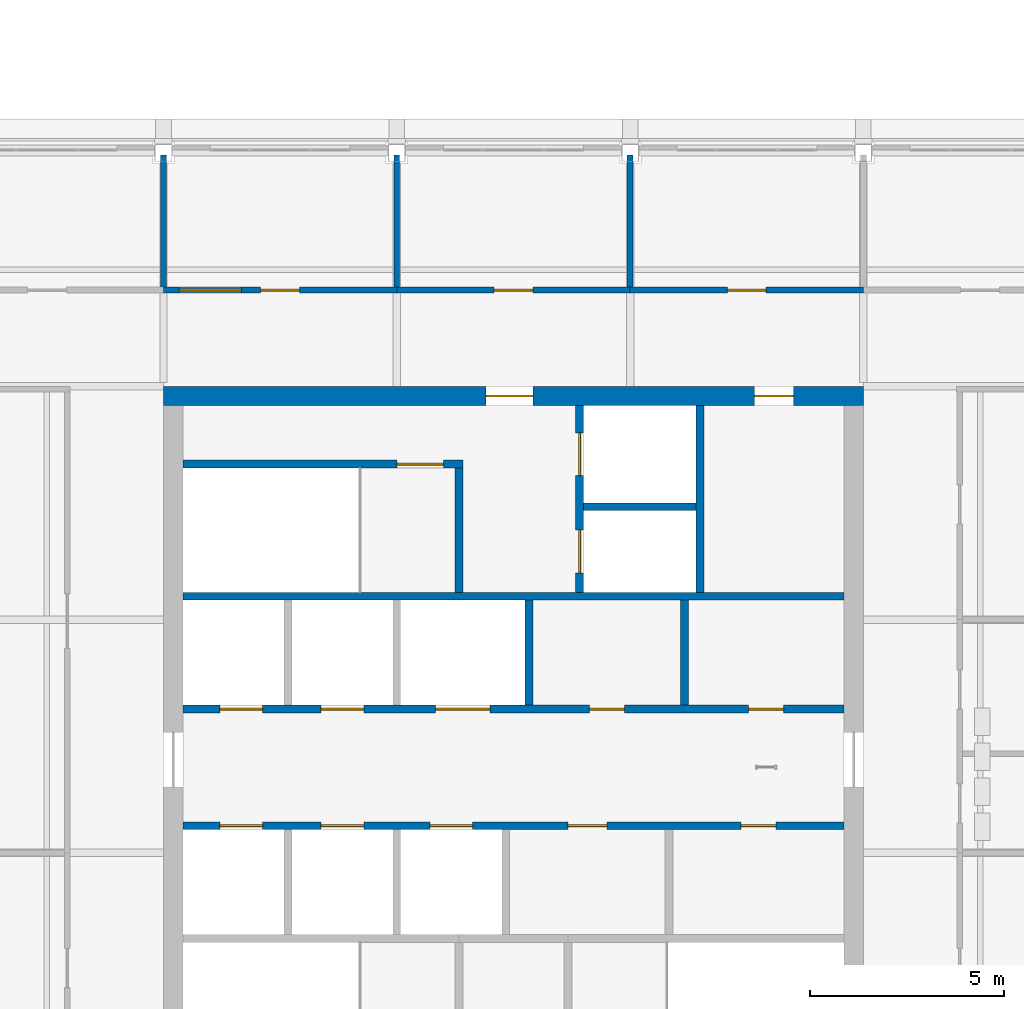
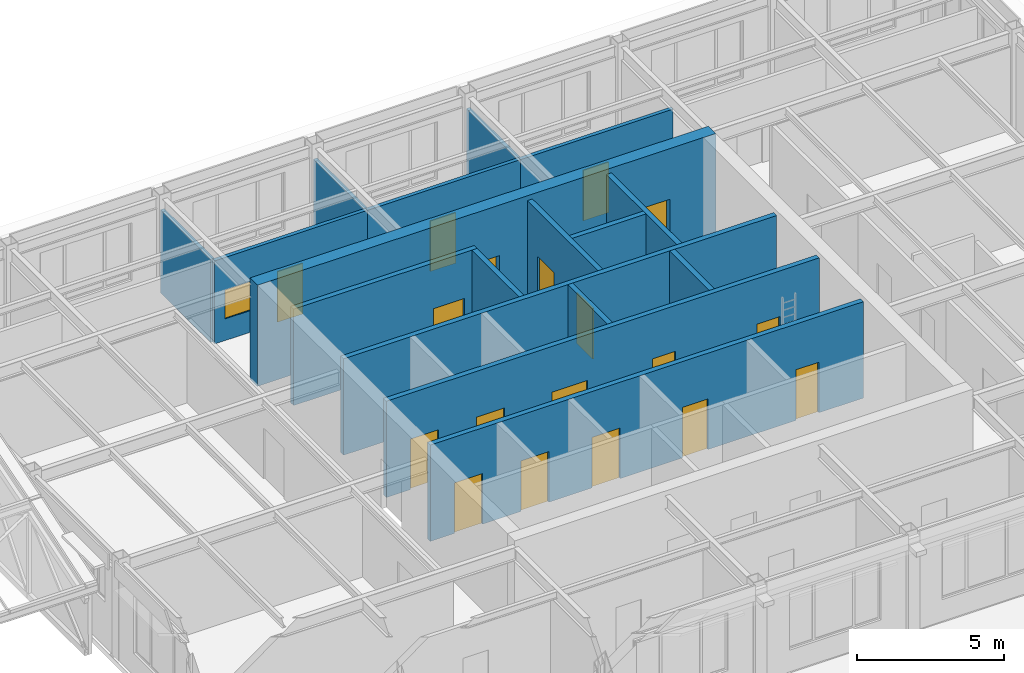
# One storey, part 62 of 82: 18 doors, 17 walls, 1 window, 19 openings.
"""IFC4 building model written with IfcOpenShell, lengths in metres."""

from ifc_helpers import new_model, si_unit, direction, frame, frame_2d, origin, place, context, subcontext, project, spatial, rectangle, extrude, material, layer, layer_set, type_object, element, fill, save


model = new_model("IFC4")

# Units and contexts
model_context = context("Model", 3, precision=1e-05, world=origin(), true_north=direction((0.0, 1.0)))
body_context = subcontext(model_context, "Body", "Model", "MODEL_VIEW")
ifc_project = project(units=[si_unit("LENGTHUNIT", "METRE"), si_unit("AREAUNIT", "SQUARE_METRE"), si_unit("VOLUMEUNIT", "CUBIC_METRE"), si_unit("PLANEANGLEUNIT", "RADIAN"), si_unit("MASSUNIT", "GRAM", prefix="KILO")], contexts=[model_context])

# Site, building, storey
site_placement = place(None, origin())
site = spatial("IfcSite", under=ifc_project, at=site_placement, CompositionType="ELEMENT")
building_placement = place(site_placement, origin())
building = spatial("IfcBuilding", under=site, at=building_placement, Name="Aravalli Gate Trade Fair Centre", CompositionType="ELEMENT")
storey_placement = place(building_placement, frame((0.0, 0.0, 19.199951171875)))
storey = spatial("IfcBuildingStorey", under=building, at=storey_placement, Name="L04", CompositionType="ELEMENT", Elevation=19.199951171875)

# Walls
ifc_material_1 = material(Name="Concrete M30", Category="concrete")
ifc_layer_1 = layer(ifc_material_1, 0.199951171875)
ifc_layer_set_1 = layer_set([ifc_layer_1], Name="Concrete M30")
wall_type_1 = type_object("IfcWallType", Name="Wing core internal wall 200 (EI 120, core wall)", PredefinedType="SOLIDWALL", material=ifc_layer_set_1)
wall_1_placement = place(storey_placement, frame((172.5, 115.60009765625, 0.0), z_axis=(0.0, 0.0, 1.0), x_axis=(1.0, 0.0, 0.0)))
element("IfcWall", 1, at=wall_1_placement, inside=storey, type_object=wall_type_1, Name="Core wall N-REAR L04", PredefinedType="SOLIDWALL", context=body_context, shape_type="SweptSolid", body=[
    extrude(rectangle(XDim=17.0, YDim=0.199951171875, at=frame_2d((8.5, 0.0))), origin(), (0.0, 0.0, 1.0), 4.0),
])
ifc_layer_2 = layer(ifc_material_1, 0.199951171875)
ifc_layer_set_2 = layer_set([ifc_layer_2], Name="Concrete M30")
wall_type_2 = type_object("IfcWallType", Name="Wing core internal wall 200 (EI 120, firefighting shaft)", PredefinedType="SOLIDWALL", material=ifc_layer_set_2)
wall_2_placement = place(storey_placement, frame((179.60009765625, 115.699951171875, 0.0), z_axis=(0.0, 0.0, 1.0), x_axis=(0.0, 1.0, 0.0)))
element("IfcWall", 2, at=wall_2_placement, inside=storey, type_object=wall_type_2, Name="Core wall FF-AB L04", PredefinedType="SOLIDWALL", context=body_context, shape_type="SweptSolid", body=[
    extrude(rectangle(XDim=3.199951171875, YDim=0.199951171875, at=frame_2d((1.60009765625, 0.0))), origin(), (0.0, 0.0, 1.0), 4.0),
])

# Wall, opening, door
wall_3_placement = place(storey_placement, frame((172.5, 119.0, 0.0), z_axis=(0.0, 0.0, 1.0), x_axis=(1.0, 0.0, 0.0)))
wall_3 = element("IfcWall", 3, at=wall_3_placement, inside=storey, type_object=wall_type_2, Name="Core wall FF-N L04", PredefinedType="SOLIDWALL", context=body_context, shape_type="SweptSolid", body=[
    extrude(rectangle(XDim=7.199951171875, YDim=0.199951171875, at=frame_2d((3.60009765625, 0.0))), origin(), (0.0, 0.0, 1.0), 4.0),
])
opening_1_placement = place(wall_3_placement, frame((5.5, 0.0, 0.0)))
opening_1 = element("IfcOpeningElement", 4, at=opening_1_placement, cuts=wall_3, Name="Opening T-L04-131", PredefinedType="OPENING", context=body_context, shape_type="SweptSolid", body=[
    extrude(rectangle(XDim=1.199951171875, YDim=2.10009765625, at=frame_2d((0.60009765625, 1.050048828125))), frame((0.0, 0.10986328125, 0.0), z_axis=(0.0, -1.0, 0.0), x_axis=(1.0, 0.0, 0.0)), (0.0, 0.0, 1.0), 0.219970703125),
])
ifc_material_2 = material(Name="Steel, fire rated", Category="steel")
door_type_1 = type_object("IfcDoorType", Name="Wing fire door FD120 1200 x 2100", OperationType="SINGLE_SWING_LEFT", PredefinedType="DOOR", material=ifc_material_2)
door_1_placement = place(opening_1_placement, frame((1.199951171875, 0.0, 0.0), z_axis=(0.0, 0.0, 1.0), x_axis=(-1.0, 0.0, 0.0)))
door_1 = element("IfcDoor", 5, at=door_1_placement, inside=storey, type_object=door_type_1, Name="Core door T-L04-131", OperationType="SINGLE_SWING_LEFT", OverallHeight=2.10009765625, OverallWidth=1.199951171875, PredefinedType="DOOR", context=body_context, shape_type="SweptSolid", body=[
    extrude(rectangle(XDim=1.199951171875, YDim=2.10009765625, at=frame_2d((0.60009765625, 1.050048828125))), frame((0.0, 0.02490234375, 0.0), z_axis=(0.0, -1.0, 0.0), x_axis=(1.0, 0.0, 0.0)), (0.0, 0.0, 1.0), 0.050048828125),
])
fill(opening_1, door_1)

# Wall, openings, doors
wall_4_placement = place(storey_placement, frame((182.699951171875, 115.699951171875, 0.0), z_axis=(0.0, 0.0, 1.0), x_axis=(0.0, 1.0, 0.0)))
wall_4 = element("IfcWall", 6, at=wall_4_placement, inside=storey, type_object=wall_type_2, Name="Core wall FF-BC L04", PredefinedType="SOLIDWALL", context=body_context, shape_type="SweptSolid", body=[
    extrude(rectangle(XDim=4.800048828125, YDim=0.199951171875, at=frame_2d((2.39990234375, 0.0))), origin(), (0.0, 0.0, 1.0), 4.0),
])
opening_2_placement = place(wall_4_placement, frame((0.5, 0.0, 0.0)))
opening_2 = element("IfcOpeningElement", 7, at=opening_2_placement, cuts=wall_4, Name="Opening T-L04-132", PredefinedType="OPENING", context=body_context, shape_type="SweptSolid", body=[
    extrude(rectangle(XDim=1.10009765625, YDim=2.10009765625, at=frame_2d((0.550048828125, 1.050048828125))), frame((0.0, 0.10986328125, 0.0), z_axis=(0.0, -1.0, 0.0), x_axis=(1.0, 0.0, 0.0)), (0.0, 0.0, 1.0), 0.219970703125),
])
opening_3_placement = place(wall_4_placement, frame((3.0, 0.0, 0.0)))
opening_3 = element("IfcOpeningElement", 8, at=opening_3_placement, cuts=wall_4, Name="Opening T-L04-133", PredefinedType="OPENING", context=body_context, shape_type="SweptSolid", body=[
    extrude(rectangle(XDim=1.10009765625, YDim=2.10009765625, at=frame_2d((0.550048828125, 1.050048828125))), frame((0.0, 0.10986328125, 0.0), z_axis=(0.0, -1.0, 0.0), x_axis=(1.0, 0.0, 0.0)), (0.0, 0.0, 1.0), 0.219970703125),
])
ifc_material_3 = material(Name="Elevator door panels")
door_type_2 = type_object("IfcDoorType", Name="Wing lift landing door 1100 x 2100", OperationType="SLIDING_TO_LEFT", PredefinedType="DOOR", material=ifc_material_3)
door_2_placement = place(opening_2_placement, origin())
door_2 = element("IfcDoor", 9, at=door_2_placement, inside=storey, type_object=door_type_2, Name="Landing door T-L04-132", OperationType="SLIDING_TO_LEFT", OverallHeight=2.10009765625, OverallWidth=1.10009765625, PredefinedType="DOOR", context=body_context, shape_type="SweptSolid", body=[
    extrude(rectangle(XDim=1.10009765625, YDim=2.10009765625, at=frame_2d((0.550048828125, 1.050048828125))), frame((0.0, 0.02490234375, 0.0), z_axis=(0.0, -1.0, 0.0), x_axis=(1.0, 0.0, 0.0)), (0.0, 0.0, 1.0), 0.050048828125),
])
fill(opening_2, door_2)
door_3_placement = place(opening_3_placement, origin())
door_3 = element("IfcDoor", 10, at=door_3_placement, inside=storey, type_object=door_type_2, Name="Landing door T-L04-133", OperationType="SLIDING_TO_LEFT", OverallHeight=2.10009765625, OverallWidth=1.10009765625, PredefinedType="DOOR", context=body_context, shape_type="SweptSolid", body=[
    extrude(rectangle(XDim=1.10009765625, YDim=2.10009765625, at=frame_2d((0.550048828125, 1.050048828125))), frame((0.0, 0.02490234375, 0.0), z_axis=(0.0, -1.0, 0.0), x_axis=(1.0, 0.0, 0.0)), (0.0, 0.0, 1.0), 0.050048828125),
])
fill(opening_3, door_3)

# Walls
wall_5_placement = place(storey_placement, frame((182.800048828125, 117.89990234375, 0.0), z_axis=(0.0, 0.0, 1.0), x_axis=(1.0, 0.0, 0.0)))
element("IfcWall", 11, at=wall_5_placement, inside=storey, type_object=wall_type_2, Name="Core wall FF-MID L04", PredefinedType="SOLIDWALL", context=body_context, shape_type="SweptSolid", body=[
    extrude(rectangle(XDim=2.89990234375, YDim=0.199951171875, at=frame_2d((1.449951171875, 0.0))), origin(), (0.0, 0.0, 1.0), 4.0),
])
wall_6_placement = place(storey_placement, frame((185.800048828125, 115.699951171875, 0.0), z_axis=(0.0, 0.0, 1.0), x_axis=(0.0, 1.0, 0.0)))
element("IfcWall", 12, at=wall_6_placement, inside=storey, type_object=wall_type_2, Name="Core wall FF-CD L04", PredefinedType="SOLIDWALL", context=body_context, shape_type="SweptSolid", body=[
    extrude(rectangle(XDim=4.800048828125, YDim=0.199951171875, at=frame_2d((2.39990234375, 0.0))), origin(), (0.0, 0.0, 1.0), 4.0),
])

# Wall, openings, doors
ifc_layer_3 = layer(ifc_material_1, 0.199951171875)
ifc_layer_set_3 = layer_set([ifc_layer_3], Name="Concrete M30")
wall_type_3 = type_object("IfcWallType", Name="Wing core internal wall 200 (EI 120, lift shaft)", PredefinedType="SOLIDWALL", material=ifc_layer_set_3)
wall_7_placement = place(storey_placement, frame((172.5, 109.699951171875, 0.0), z_axis=(0.0, 0.0, 1.0), x_axis=(1.0, 0.0, 0.0)))
wall_7 = element("IfcWall", 13, at=wall_7_placement, inside=storey, type_object=wall_type_3, Name="Core wall S-FRONT L04", PredefinedType="SOLIDWALL", context=body_context, shape_type="SweptSolid", body=[
    extrude(rectangle(XDim=17.0, YDim=0.199951171875, at=frame_2d((8.5, 0.0))), origin(), (0.0, 0.0, 1.0), 4.0),
])
opening_4_placement = place(wall_7_placement, frame((0.949951171875, 0.0, 0.0)))
opening_4 = element("IfcOpeningElement", 14, at=opening_4_placement, cuts=wall_7, Name="Opening T-L04-111", PredefinedType="OPENING", context=body_context, shape_type="SweptSolid", body=[
    extrude(rectangle(XDim=1.10009765625, YDim=2.10009765625, at=frame_2d((0.550048828125, 1.050048828125))), frame((0.0, 0.10986328125, 0.0), z_axis=(0.0, -1.0, 0.0), x_axis=(1.0, 0.0, 0.0)), (0.0, 0.0, 1.0), 0.219970703125),
])
opening_5_placement = place(wall_7_placement, frame((3.550048828125, 0.0, 0.0)))
opening_5 = element("IfcOpeningElement", 15, at=opening_5_placement, cuts=wall_7, Name="Opening T-L04-112", PredefinedType="OPENING", context=body_context, shape_type="SweptSolid", body=[
    extrude(rectangle(XDim=1.10009765625, YDim=2.10009765625, at=frame_2d((0.550048828125, 1.050048828125))), frame((0.0, 0.10986328125, 0.0), z_axis=(0.0, -1.0, 0.0), x_axis=(1.0, 0.0, 0.0)), (0.0, 0.0, 1.0), 0.219970703125),
])
opening_6_placement = place(wall_7_placement, frame((6.35009765625, 0.0, 0.0)))
opening_6 = element("IfcOpeningElement", 16, at=opening_6_placement, cuts=wall_7, Name="Opening T-L04-113", PredefinedType="OPENING", context=body_context, shape_type="SweptSolid", body=[
    extrude(rectangle(XDim=1.10009765625, YDim=2.10009765625, at=frame_2d((0.550048828125, 1.050048828125))), frame((0.0, 0.10986328125, 0.0), z_axis=(0.0, -1.0, 0.0), x_axis=(1.0, 0.0, 0.0)), (0.0, 0.0, 1.0), 0.219970703125),
])
opening_7_placement = place(wall_7_placement, frame((9.89990234375, 0.0, 0.0)))
opening_7 = element("IfcOpeningElement", 17, at=opening_7_placement, cuts=wall_7, Name="Opening T-L04-114", PredefinedType="OPENING", context=body_context, shape_type="SweptSolid", body=[
    extrude(rectangle(XDim=1.0, YDim=2.10009765625, at=frame_2d((0.5, 1.050048828125))), frame((0.0, 0.10986328125, 0.0), z_axis=(0.0, -1.0, 0.0), x_axis=(1.0, 0.0, 0.0)), (0.0, 0.0, 1.0), 0.219970703125),
])
opening_8_placement = place(wall_7_placement, frame((14.35009765625, 0.0, 0.0)))
opening_8 = element("IfcOpeningElement", 18, at=opening_8_placement, cuts=wall_7, Name="Opening T-L04-115", PredefinedType="OPENING", context=body_context, shape_type="SweptSolid", body=[
    extrude(rectangle(XDim=0.89990234375, YDim=2.10009765625, at=frame_2d((0.449951171875, 1.050048828125))), frame((0.0, 0.10986328125, 0.0), z_axis=(0.0, -1.0, 0.0), x_axis=(1.0, 0.0, 0.0)), (0.0, 0.0, 1.0), 0.219970703125),
])
door_type_3 = type_object("IfcDoorType", Name="Wing fire door FD120 1000 x 2100", OperationType="SINGLE_SWING_LEFT", PredefinedType="DOOR", material=ifc_material_2)
door_4_placement = place(opening_7_placement, frame((1.0, 0.0, 0.0), z_axis=(0.0, 0.0, 1.0), x_axis=(-1.0, 0.0, 0.0)))
door_4 = element("IfcDoor", 19, at=door_4_placement, inside=storey, type_object=door_type_3, Name="Core door T-L04-114", OperationType="SINGLE_SWING_RIGHT", OverallHeight=2.10009765625, OverallWidth=1.0, PredefinedType="DOOR", context=body_context, shape_type="SweptSolid", body=[
    extrude(rectangle(XDim=1.0, YDim=2.10009765625, at=frame_2d((0.5, 1.050048828125))), frame((0.0, 0.02490234375, 0.0), z_axis=(0.0, -1.0, 0.0), x_axis=(1.0, 0.0, 0.0)), (0.0, 0.0, 1.0), 0.050048828125),
])
fill(opening_7, door_4)
door_type_4 = type_object("IfcDoorType", Name="Wing fire door FD120 900 x 2100", OperationType="SINGLE_SWING_LEFT", PredefinedType="DOOR", material=ifc_material_2)
door_5_placement = place(opening_8_placement, frame((0.89990234375, 0.0, 0.0), z_axis=(0.0, 0.0, 1.0), x_axis=(-1.0, 0.0, 0.0)))
door_5 = element("IfcDoor", 20, at=door_5_placement, inside=storey, type_object=door_type_4, Name="Core door T-L04-115", OperationType="SINGLE_SWING_LEFT", OverallHeight=2.10009765625, OverallWidth=0.89990234375, PredefinedType="DOOR", context=body_context, shape_type="SweptSolid", body=[
    extrude(rectangle(XDim=0.89990234375, YDim=2.10009765625, at=frame_2d((0.449951171875, 1.050048828125))), frame((0.0, 0.02490234375, 0.0), z_axis=(0.0, -1.0, 0.0), x_axis=(1.0, 0.0, 0.0)), (0.0, 0.0, 1.0), 0.050048828125),
])
fill(opening_8, door_5)
door_6_placement = place(opening_4_placement, origin())
door_6 = element("IfcDoor", 21, at=door_6_placement, inside=storey, type_object=door_type_2, Name="Landing door T-L04-111", OperationType="SLIDING_TO_LEFT", OverallHeight=2.10009765625, OverallWidth=1.10009765625, PredefinedType="DOOR", context=body_context, shape_type="SweptSolid", body=[
    extrude(rectangle(XDim=1.10009765625, YDim=2.10009765625, at=frame_2d((0.550048828125, 1.050048828125))), frame((0.0, 0.02490234375, 0.0), z_axis=(0.0, -1.0, 0.0), x_axis=(1.0, 0.0, 0.0)), (0.0, 0.0, 1.0), 0.050048828125),
])
fill(opening_4, door_6)
door_7_placement = place(opening_5_placement, origin())
door_7 = element("IfcDoor", 22, at=door_7_placement, inside=storey, type_object=door_type_2, Name="Landing door T-L04-112", OperationType="SLIDING_TO_LEFT", OverallHeight=2.10009765625, OverallWidth=1.10009765625, PredefinedType="DOOR", context=body_context, shape_type="SweptSolid", body=[
    extrude(rectangle(XDim=1.10009765625, YDim=2.10009765625, at=frame_2d((0.550048828125, 1.050048828125))), frame((0.0, 0.02490234375, 0.0), z_axis=(0.0, -1.0, 0.0), x_axis=(1.0, 0.0, 0.0)), (0.0, 0.0, 1.0), 0.050048828125),
])
fill(opening_5, door_7)
door_8_placement = place(opening_6_placement, origin())
door_8 = element("IfcDoor", 23, at=door_8_placement, inside=storey, type_object=door_type_2, Name="Landing door T-L04-113", OperationType="SLIDING_TO_LEFT", OverallHeight=2.10009765625, OverallWidth=1.10009765625, PredefinedType="DOOR", context=body_context, shape_type="SweptSolid", body=[
    extrude(rectangle(XDim=1.10009765625, YDim=2.10009765625, at=frame_2d((0.550048828125, 1.050048828125))), frame((0.0, 0.02490234375, 0.0), z_axis=(0.0, -1.0, 0.0), x_axis=(1.0, 0.0, 0.0)), (0.0, 0.0, 1.0), 0.050048828125),
])
fill(opening_6, door_8)

# Wall
wall_8_placement = place(storey_placement, frame((181.39990234375, 112.800048828125, 0.0), z_axis=(0.0, 0.0, 1.0), x_axis=(0.0, 1.0, 0.0)))
element("IfcWall", 24, at=wall_8_placement, inside=storey, type_object=wall_type_3, Name="Core wall NB-9 L04", PredefinedType="SOLIDWALL", context=body_context, shape_type="SweptSolid", body=[
    extrude(rectangle(XDim=2.699951171875, YDim=0.199951171875, at=frame_2d((1.35009765625, 0.0))), origin(), (0.0, 0.0, 1.0), 4.0),
])

# Wall, openings, doors
wall_9_placement = place(storey_placement, frame((172.5, 112.699951171875, 0.0), z_axis=(0.0, 0.0, 1.0), x_axis=(1.0, 0.0, 0.0)))
wall_9 = element("IfcWall", 25, at=wall_9_placement, inside=storey, type_object=wall_type_3, Name="Core wall N-FRONT L04", PredefinedType="SOLIDWALL", context=body_context, shape_type="SweptSolid", body=[
    extrude(rectangle(XDim=17.0, YDim=0.199951171875, at=frame_2d((8.5, 0.0))), origin(), (0.0, 0.0, 1.0), 4.0),
])
opening_9_placement = place(wall_9_placement, frame((0.949951171875, 0.0, 0.0)))
opening_9 = element("IfcOpeningElement", 26, at=opening_9_placement, cuts=wall_9, Name="Opening T-L04-121", PredefinedType="OPENING", context=body_context, shape_type="SweptSolid", body=[
    extrude(rectangle(XDim=1.10009765625, YDim=2.10009765625, at=frame_2d((0.550048828125, 1.050048828125))), frame((0.0, 0.10986328125, 0.0), z_axis=(0.0, -1.0, 0.0), x_axis=(1.0, 0.0, 0.0)), (0.0, 0.0, 1.0), 0.219970703125),
])
opening_10_placement = place(wall_9_placement, frame((3.550048828125, 0.0, 0.0)))
opening_10 = element("IfcOpeningElement", 27, at=opening_10_placement, cuts=wall_9, Name="Opening T-L04-122", PredefinedType="OPENING", context=body_context, shape_type="SweptSolid", body=[
    extrude(rectangle(XDim=1.10009765625, YDim=2.10009765625, at=frame_2d((0.550048828125, 1.050048828125))), frame((0.0, 0.10986328125, 0.0), z_axis=(0.0, -1.0, 0.0), x_axis=(1.0, 0.0, 0.0)), (0.0, 0.0, 1.0), 0.219970703125),
])
opening_11_placement = place(wall_9_placement, frame((6.5, 0.0, 0.0)))
opening_11 = element("IfcOpeningElement", 28, at=opening_11_placement, cuts=wall_9, Name="Opening T-L04-123", PredefinedType="OPENING", context=body_context, shape_type="SweptSolid", body=[
    extrude(rectangle(XDim=1.39990234375, YDim=2.10009765625, at=frame_2d((0.699951171875, 1.050048828125))), frame((0.0, 0.10986328125, 0.0), z_axis=(0.0, -1.0, 0.0), x_axis=(1.0, 0.0, 0.0)), (0.0, 0.0, 1.0), 0.219970703125),
])
opening_12_placement = place(wall_9_placement, frame((10.449951171875, 0.0, 0.0)))
opening_12 = element("IfcOpeningElement", 29, at=opening_12_placement, cuts=wall_9, Name="Opening T-L04-124", PredefinedType="OPENING", context=body_context, shape_type="SweptSolid", body=[
    extrude(rectangle(XDim=0.89990234375, YDim=2.10009765625, at=frame_2d((0.449951171875, 1.050048828125))), frame((0.0, 0.10986328125, 0.0), z_axis=(0.0, -1.0, 0.0), x_axis=(1.0, 0.0, 0.0)), (0.0, 0.0, 1.0), 0.219970703125),
])
opening_13_placement = place(wall_9_placement, frame((14.550048828125, 0.0, 0.0)))
opening_13 = element("IfcOpeningElement", 30, at=opening_13_placement, cuts=wall_9, Name="Opening T-L04-125", PredefinedType="OPENING", context=body_context, shape_type="SweptSolid", body=[
    extrude(rectangle(XDim=0.89990234375, YDim=2.10009765625, at=frame_2d((0.449951171875, 1.050048828125))), frame((0.0, 0.10986328125, 0.0), z_axis=(0.0, -1.0, 0.0), x_axis=(1.0, 0.0, 0.0)), (0.0, 0.0, 1.0), 0.219970703125),
])
door_9_placement = place(opening_12_placement, origin())
door_9 = element("IfcDoor", 31, at=door_9_placement, inside=storey, type_object=door_type_4, Name="Core door T-L04-124", OperationType="SINGLE_SWING_LEFT", OverallHeight=2.10009765625, OverallWidth=0.89990234375, PredefinedType="DOOR", context=body_context, shape_type="SweptSolid", body=[
    extrude(rectangle(XDim=0.89990234375, YDim=2.10009765625, at=frame_2d((0.449951171875, 1.050048828125))), frame((0.0, 0.02490234375, 0.0), z_axis=(0.0, -1.0, 0.0), x_axis=(1.0, 0.0, 0.0)), (0.0, 0.0, 1.0), 0.050048828125),
])
fill(opening_12, door_9)
door_10_placement = place(opening_13_placement, origin())
door_10 = element("IfcDoor", 32, at=door_10_placement, inside=storey, type_object=door_type_4, Name="Core door T-L04-125", OperationType="SINGLE_SWING_RIGHT", OverallHeight=2.10009765625, OverallWidth=0.89990234375, PredefinedType="DOOR", context=body_context, shape_type="SweptSolid", body=[
    extrude(rectangle(XDim=0.89990234375, YDim=2.10009765625, at=frame_2d((0.449951171875, 1.050048828125))), frame((0.0, 0.02490234375, 0.0), z_axis=(0.0, -1.0, 0.0), x_axis=(1.0, 0.0, 0.0)), (0.0, 0.0, 1.0), 0.050048828125),
])
fill(opening_13, door_10)
door_11_placement = place(opening_9_placement, origin())
door_11 = element("IfcDoor", 33, at=door_11_placement, inside=storey, type_object=door_type_2, Name="Landing door T-L04-121", OperationType="SLIDING_TO_LEFT", OverallHeight=2.10009765625, OverallWidth=1.10009765625, PredefinedType="DOOR", context=body_context, shape_type="SweptSolid", body=[
    extrude(rectangle(XDim=1.10009765625, YDim=2.10009765625, at=frame_2d((0.550048828125, 1.050048828125))), frame((0.0, 0.02490234375, 0.0), z_axis=(0.0, -1.0, 0.0), x_axis=(1.0, 0.0, 0.0)), (0.0, 0.0, 1.0), 0.050048828125),
])
fill(opening_9, door_11)
door_12_placement = place(opening_10_placement, origin())
door_12 = element("IfcDoor", 34, at=door_12_placement, inside=storey, type_object=door_type_2, Name="Landing door T-L04-122", OperationType="SLIDING_TO_LEFT", OverallHeight=2.10009765625, OverallWidth=1.10009765625, PredefinedType="DOOR", context=body_context, shape_type="SweptSolid", body=[
    extrude(rectangle(XDim=1.10009765625, YDim=2.10009765625, at=frame_2d((0.550048828125, 1.050048828125))), frame((0.0, 0.02490234375, 0.0), z_axis=(0.0, -1.0, 0.0), x_axis=(1.0, 0.0, 0.0)), (0.0, 0.0, 1.0), 0.050048828125),
])
fill(opening_10, door_12)
door_type_5 = type_object("IfcDoorType", Name="Wing lift landing door 1400 x 2100", OperationType="SLIDING_TO_LEFT", PredefinedType="DOOR", material=ifc_material_3)
door_13_placement = place(opening_11_placement, origin())
door_13 = element("IfcDoor", 35, at=door_13_placement, inside=storey, type_object=door_type_5, Name="Landing door T-L04-123", OperationType="SLIDING_TO_LEFT", OverallHeight=2.10009765625, OverallWidth=1.39990234375, PredefinedType="DOOR", context=body_context, shape_type="SweptSolid", body=[
    extrude(rectangle(XDim=1.39990234375, YDim=2.10009765625, at=frame_2d((0.699951171875, 1.050048828125))), frame((0.0, 0.02490234375, 0.0), z_axis=(0.0, -1.0, 0.0), x_axis=(1.0, 0.0, 0.0)), (0.0, 0.0, 1.0), 0.050048828125),
])
fill(opening_11, door_13)

# Wall
ifc_material_4 = material(Name="Concrete block masonry", Category="masonry")
ifc_layer_4 = layer(ifc_material_4, 0.199951171875)
ifc_layer_set_4 = layer_set([ifc_layer_4], Name="Concrete block masonry")
wall_type_4 = type_object("IfcWallType", Name="Wing core internal wall 200 (EI 120, riser shaft)", PredefinedType="SOLIDWALL", material=ifc_layer_set_4)
wall_10_placement = place(storey_placement, frame((185.39990234375, 112.800048828125, 0.0), z_axis=(0.0, 0.0, 1.0), x_axis=(0.0, 1.0, 0.0)))
element("IfcWall", 36, at=wall_10_placement, inside=storey, type_object=wall_type_4, Name="Core wall NB-13 L04", PredefinedType="SOLIDWALL", context=body_context, shape_type="SweptSolid", body=[
    extrude(rectangle(XDim=2.699951171875, YDim=0.199951171875, at=frame_2d((1.35009765625, 0.0))), origin(), (0.0, 0.0, 1.0), 4.0),
])

# Wall, openings, doors
ifc_material_5 = material(Name="Concrete M50", Category="concrete")
ifc_layer_5 = layer(ifc_material_5, 0.5)
ifc_layer_set_5 = layer_set([ifc_layer_5], Name="Concrete M50")
wall_type_5 = type_object("IfcWallType", Name="Wing core shear wall 500", PredefinedType="SHEAR", material=ifc_layer_set_5)
wall_11_placement = place(storey_placement, frame((172.0, 120.75, 0.0), z_axis=(0.0, 0.0, 1.0), x_axis=(1.0, 0.0, 0.0)))
wall_11 = element("IfcWall", 37, at=wall_11_placement, inside=storey, type_object=wall_type_5, Name="Core wall N L04", PredefinedType="SHEAR", context=body_context, shape_type="SweptSolid", body=[
    extrude(rectangle(XDim=18.0, YDim=0.5, at=frame_2d((9.0, 0.0))), origin(), (0.0, 0.0, 1.0), 4.199951171875),
])
opening_14_placement = place(wall_11_placement, frame((8.300048828125, 0.0, 0.0)))
opening_14 = element("IfcOpeningElement", 38, at=opening_14_placement, cuts=wall_11, Name="Opening T-L04-104", PredefinedType="OPENING", context=body_context, shape_type="SweptSolid", body=[
    extrude(rectangle(XDim=1.199951171875, YDim=2.10009765625, at=frame_2d((0.60009765625, 1.050048828125))), frame((0.0, 0.260009765625, 0.0), z_axis=(0.0, -1.0, 0.0), x_axis=(1.0, 0.0, 0.0)), (0.0, 0.0, 1.0), 0.52001953125),
])
opening_15_placement = place(wall_11_placement, frame((15.199951171875, 0.0, 0.0)))
opening_15 = element("IfcOpeningElement", 39, at=opening_15_placement, cuts=wall_11, Name="Opening T-L04-105", PredefinedType="OPENING", context=body_context, shape_type="SweptSolid", body=[
    extrude(rectangle(XDim=1.0, YDim=2.10009765625, at=frame_2d((0.5, 1.050048828125))), frame((0.0, 0.260009765625, 0.0), z_axis=(0.0, -1.0, 0.0), x_axis=(1.0, 0.0, 0.0)), (0.0, 0.0, 1.0), 0.52001953125),
])
door_14_placement = place(opening_15_placement, frame((1.0, 0.0, 0.0), z_axis=(0.0, 0.0, 1.0), x_axis=(-1.0, 0.0, 0.0)))
door_14 = element("IfcDoor", 40, at=door_14_placement, inside=storey, type_object=door_type_3, Name="Core door T-L04-105", OperationType="SINGLE_SWING_LEFT", OverallHeight=2.10009765625, OverallWidth=1.0, PredefinedType="DOOR", context=body_context, shape_type="SweptSolid", body=[
    extrude(rectangle(XDim=1.0, YDim=2.10009765625, at=frame_2d((0.5, 1.050048828125))), frame((0.0, 0.02490234375, 0.0), z_axis=(0.0, -1.0, 0.0), x_axis=(1.0, 0.0, 0.0)), (0.0, 0.0, 1.0), 0.050048828125),
])
fill(opening_15, door_14)
door_15_placement = place(opening_14_placement, frame((1.199951171875, 0.0, 0.0), z_axis=(0.0, 0.0, 1.0), x_axis=(-1.0, 0.0, 0.0)))
door_15 = element("IfcDoor", 41, at=door_15_placement, inside=storey, type_object=door_type_1, Name="Core door T-L04-104", OperationType="SINGLE_SWING_LEFT", OverallHeight=2.10009765625, OverallWidth=1.199951171875, PredefinedType="DOOR", context=body_context, shape_type="SweptSolid", body=[
    extrude(rectangle(XDim=1.199951171875, YDim=2.10009765625, at=frame_2d((0.60009765625, 1.050048828125))), frame((0.0, 0.02490234375, 0.0), z_axis=(0.0, -1.0, 0.0), x_axis=(1.0, 0.0, 0.0)), (0.0, 0.0, 1.0), 0.050048828125),
])
fill(opening_14, door_15)

# Wall
ifc_material_6 = material(Name="Blockwork with fire-rated lining", Category="masonry")
ifc_layer_6 = layer(ifc_material_6, 0.14990234375)
ifc_layer_set_6 = layer_set([ifc_layer_6], Name="Blockwork with fire-rated lining")
wall_type_6 = type_object("IfcWallType", Name="Wing partition 150 (EI 60, corridor wall)", PredefinedType="PARTITIONING", material=ifc_layer_set_6)
wall_12_placement = place(storey_placement, frame((172.0, 123.550048828125, 0.0), z_axis=(0.0, 0.0, 1.0), x_axis=(0.0, 1.0, 0.0)))
element("IfcWall", 42, at=wall_12_placement, inside=storey, type_object=wall_type_6, Name="Partition NP2 L04", PredefinedType="PARTITIONING", context=body_context, shape_type="SweptSolid", body=[
    extrude(rectangle(XDim=3.39990234375, YDim=0.14990234375, at=frame_2d((1.699951171875, 0.0))), origin(), (0.0, 0.0, 1.0), 3.449951171875),
])

# Wall, openings, door, window
wall_13_placement = place(storey_placement, frame((172.0, 123.47509765625, 0.0), z_axis=(0.0, 0.0, 1.0), x_axis=(1.0, 0.0, 0.0)))
wall_13 = element("IfcWall", 43, at=wall_13_placement, inside=storey, type_object=wall_type_6, Name="Partition NW3 L04", PredefinedType="PARTITIONING", context=body_context, shape_type="SweptSolid", body=[
    extrude(rectangle(XDim=6.0, YDim=0.14990234375, at=frame_2d((3.0, 0.0))), origin(), (0.0, 0.0, 1.0), 3.449951171875),
])
opening_16_placement = place(wall_13_placement, frame((0.39990234375, 0.0, 0.89990234375)))
opening_16 = element("IfcOpeningElement", 44, at=opening_16_placement, cuts=wall_13, Name="Opening TWN2", PredefinedType="OPENING", context=body_context, shape_type="SweptSolid", body=[
    extrude(rectangle(XDim=1.60009765625, YDim=1.199951171875, at=frame_2d((0.800048828125, 0.60009765625))), frame((0.0, 0.0849609375, 0.0), z_axis=(0.0, -1.0, 0.0), x_axis=(1.0, 0.0, 0.0)), (0.0, 0.0, 1.0), 0.169921875),
])
opening_17_placement = place(wall_13_placement, frame((2.5, 0.0, 0.0)))
opening_17 = element("IfcOpeningElement", 45, at=opening_17_placement, cuts=wall_13, Name="Opening T-L04-150", PredefinedType="OPENING", context=body_context, shape_type="SweptSolid", body=[
    extrude(rectangle(XDim=1.0, YDim=2.10009765625, at=frame_2d((0.5, 1.050048828125))), frame((0.0, 0.0849609375, 0.0), z_axis=(0.0, -1.0, 0.0), x_axis=(1.0, 0.0, 0.0)), (0.0, 0.0, 1.0), 0.169921875),
])
door_type_6 = type_object("IfcDoorType", Name="Wing fire door FD60 1000 x 2100", OperationType="SINGLE_SWING_LEFT", PredefinedType="DOOR", material=ifc_material_2)
door_16_placement = place(opening_17_placement, origin())
door_16 = element("IfcDoor", 46, at=door_16_placement, inside=storey, type_object=door_type_6, Name="Door T-L04-150", OperationType="SINGLE_SWING_RIGHT", OverallHeight=2.10009765625, OverallWidth=1.0, PredefinedType="DOOR", context=body_context, shape_type="SweptSolid", body=[
    extrude(rectangle(XDim=1.0, YDim=2.10009765625, at=frame_2d((0.5, 1.050048828125))), frame((0.0, 0.02490234375, 0.0), z_axis=(0.0, -1.0, 0.0), x_axis=(1.0, 0.0, 0.0)), (0.0, 0.0, 1.0), 0.050048828125),
])
fill(opening_17, door_16)
ifc_material_7 = material(Name="Aluminium and glass", Category="aluminium")
window_type = type_object("IfcWindowType", Name="Wing interior glazed screen 1600 x 1200", PartitioningType="SINGLE_PANEL", PredefinedType="WINDOW", material=ifc_material_7)
window_placement = place(opening_16_placement, origin())
window = element("IfcWindow", 47, at=window_placement, inside=storey, type_object=window_type, Name="Glazed screen T-L04-150", OverallHeight=1.199951171875, OverallWidth=1.60009765625, PartitioningType="SINGLE_PANEL", PredefinedType="WINDOW", context=body_context, shape_type="SweptSolid", body=[
    extrude(rectangle(XDim=1.60009765625, YDim=1.199951171875, at=frame_2d((0.800048828125, 0.60009765625))), frame((0.0, 0.030029296875, 0.0), z_axis=(0.0, -1.0, 0.0), x_axis=(1.0, 0.0, 0.0)), (0.0, 0.0, 1.0), 0.06005859375),
])
fill(opening_16, window)

# Wall
wall_14_placement = place(storey_placement, frame((178.0, 123.550048828125, 0.0), z_axis=(0.0, 0.0, 1.0), x_axis=(0.0, 1.0, 0.0)))
element("IfcWall", 48, at=wall_14_placement, inside=storey, type_object=wall_type_6, Name="Partition NP3 L04", PredefinedType="PARTITIONING", context=body_context, shape_type="SweptSolid", body=[
    extrude(rectangle(XDim=3.39990234375, YDim=0.14990234375, at=frame_2d((1.699951171875, 0.0))), origin(), (0.0, 0.0, 1.0), 3.449951171875),
])

# Wall, opening, door
wall_15_placement = place(storey_placement, frame((178.0, 123.47509765625, 0.0), z_axis=(0.0, 0.0, 1.0), x_axis=(1.0, 0.0, 0.0)))
wall_15 = element("IfcWall", 49, at=wall_15_placement, inside=storey, type_object=wall_type_6, Name="Partition NW4 L04", PredefinedType="PARTITIONING", context=body_context, shape_type="SweptSolid", body=[
    extrude(rectangle(XDim=6.0, YDim=0.14990234375, at=frame_2d((3.0, 0.0))), origin(), (0.0, 0.0, 1.0), 3.449951171875),
])
opening_18_placement = place(wall_15_placement, frame((2.5, 0.0, 0.0)))
opening_18 = element("IfcOpeningElement", 50, at=opening_18_placement, cuts=wall_15, Name="Opening T-L04-151", PredefinedType="OPENING", context=body_context, shape_type="SweptSolid", body=[
    extrude(rectangle(XDim=1.0, YDim=2.10009765625, at=frame_2d((0.5, 1.050048828125))), frame((0.0, 0.0849609375, 0.0), z_axis=(0.0, -1.0, 0.0), x_axis=(1.0, 0.0, 0.0)), (0.0, 0.0, 1.0), 0.169921875),
])
door_17_placement = place(opening_18_placement, origin())
door_17 = element("IfcDoor", 51, at=door_17_placement, inside=storey, type_object=door_type_6, Name="Door T-L04-151", OperationType="SINGLE_SWING_LEFT", OverallHeight=2.10009765625, OverallWidth=1.0, PredefinedType="DOOR", context=body_context, shape_type="SweptSolid", body=[
    extrude(rectangle(XDim=1.0, YDim=2.10009765625, at=frame_2d((0.5, 1.050048828125))), frame((0.0, 0.02490234375, 0.0), z_axis=(0.0, -1.0, 0.0), x_axis=(1.0, 0.0, 0.0)), (0.0, 0.0, 1.0), 0.050048828125),
])
fill(opening_18, door_17)

# Wall
wall_16_placement = place(storey_placement, frame((184.0, 123.550048828125, 0.0), z_axis=(0.0, 0.0, 1.0), x_axis=(0.0, 1.0, 0.0)))
element("IfcWall", 52, at=wall_16_placement, inside=storey, type_object=wall_type_6, Name="Partition NP4 L04", PredefinedType="PARTITIONING", context=body_context, shape_type="SweptSolid", body=[
    extrude(rectangle(XDim=3.39990234375, YDim=0.14990234375, at=frame_2d((1.699951171875, 0.0))), origin(), (0.0, 0.0, 1.0), 3.449951171875),
])

# Wall, opening, door
wall_17_placement = place(storey_placement, frame((184.0, 123.47509765625, 0.0), z_axis=(0.0, 0.0, 1.0), x_axis=(1.0, 0.0, 0.0)))
wall_17 = element("IfcWall", 53, at=wall_17_placement, inside=storey, type_object=wall_type_6, Name="Partition NW5 L04", PredefinedType="PARTITIONING", context=body_context, shape_type="SweptSolid", body=[
    extrude(rectangle(XDim=6.0, YDim=0.14990234375, at=frame_2d((3.0, 0.0))), origin(), (0.0, 0.0, 1.0), 3.449951171875),
])
opening_19_placement = place(wall_17_placement, frame((2.5, 0.0, 0.0)))
opening_19 = element("IfcOpeningElement", 54, at=opening_19_placement, cuts=wall_17, Name="Opening T-L04-152", PredefinedType="OPENING", context=body_context, shape_type="SweptSolid", body=[
    extrude(rectangle(XDim=1.0, YDim=2.10009765625, at=frame_2d((0.5, 1.050048828125))), frame((0.0, 0.0849609375, 0.0), z_axis=(0.0, -1.0, 0.0), x_axis=(1.0, 0.0, 0.0)), (0.0, 0.0, 1.0), 0.169921875),
])
door_18_placement = place(opening_19_placement, origin())
door_18 = element("IfcDoor", 55, at=door_18_placement, inside=storey, type_object=door_type_6, Name="Door T-L04-152", OperationType="SINGLE_SWING_RIGHT", OverallHeight=2.10009765625, OverallWidth=1.0, PredefinedType="DOOR", context=body_context, shape_type="SweptSolid", body=[
    extrude(rectangle(XDim=1.0, YDim=2.10009765625, at=frame_2d((0.5, 1.050048828125))), frame((0.0, 0.02490234375, 0.0), z_axis=(0.0, -1.0, 0.0), x_axis=(1.0, 0.0, 0.0)), (0.0, 0.0, 1.0), 0.050048828125),
])
fill(opening_19, door_18)

save(model, "model.ifc")
